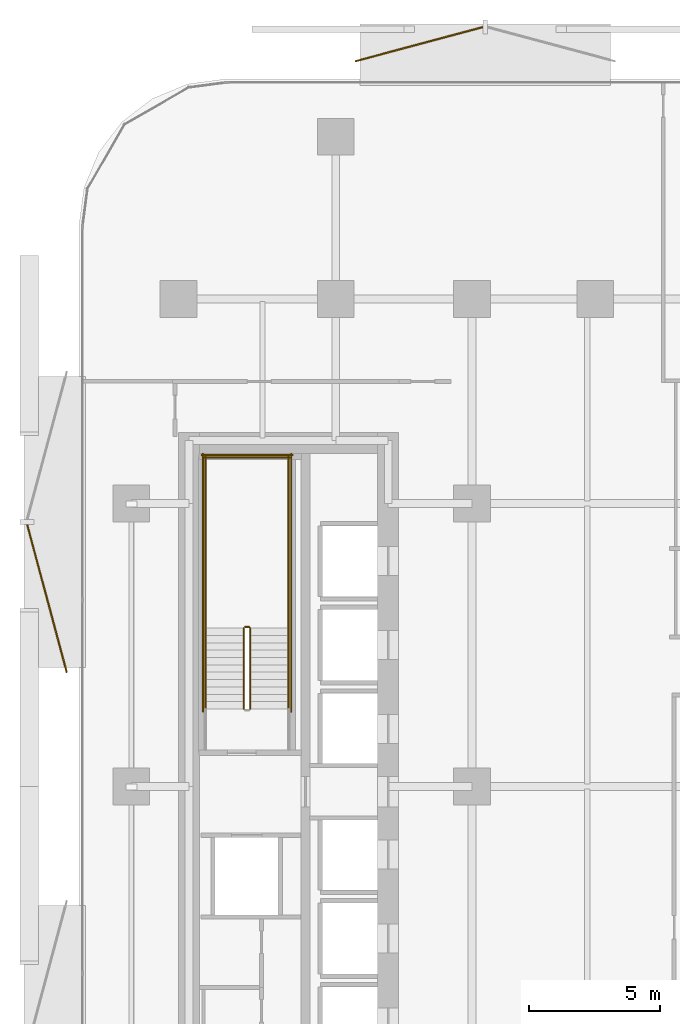
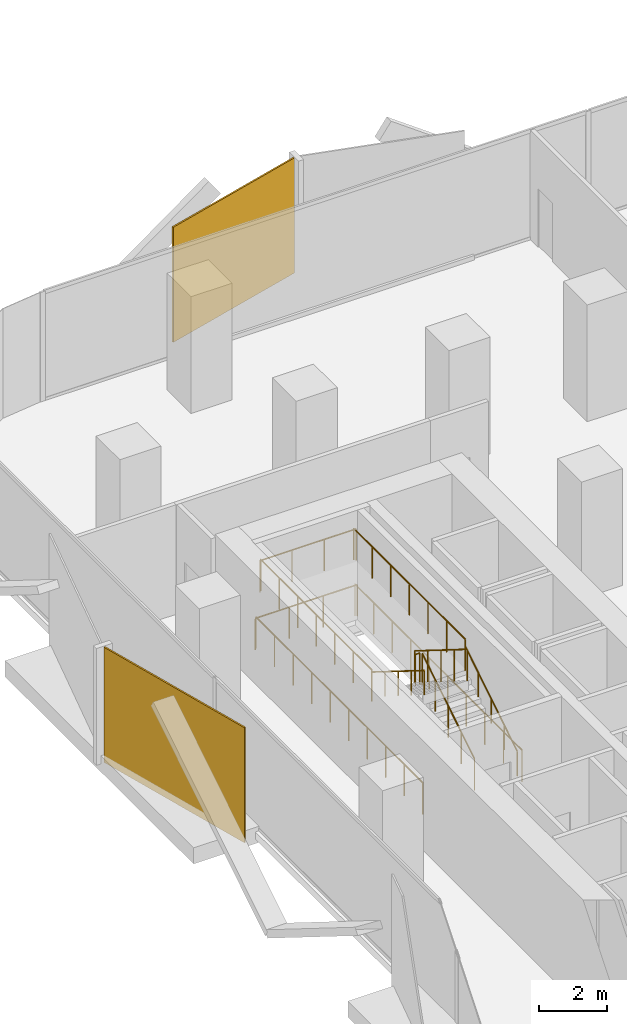
# One storey, part 13 of 14: 11 railings, 2 coverings.
"""IFC4 building model written with IfcOpenShell, lengths in metres."""

from ifc_helpers import new_model, si_unit, direction, frame, origin, origin_2d, place, context, subcontext, project, spatial, rectangle, circle, extrude, material, layer, layer_set, type_object, element, save


model = new_model("IFC4")

# Units and contexts
model_context = context("Model", 3, precision=1e-05, world=origin(), true_north=direction((0.0, 1.0)))
body_context = subcontext(model_context, "Body", "Model", "MODEL_VIEW")
ifc_project = project(units=[si_unit("LENGTHUNIT", "METRE"), si_unit("AREAUNIT", "SQUARE_METRE"), si_unit("VOLUMEUNIT", "CUBIC_METRE"), si_unit("PLANEANGLEUNIT", "RADIAN"), si_unit("MASSUNIT", "GRAM", prefix="KILO")], contexts=[model_context])

# Site, building, storey
site_placement = place(None, origin())
site = spatial("IfcSite", under=ifc_project, at=site_placement, CompositionType="ELEMENT")
building_placement = place(site_placement, origin())
building = spatial("IfcBuilding", under=site, at=building_placement, Name="Khairoan Windgate Tower", CompositionType="ELEMENT")
storey_placement = place(building_placement, frame((0.0, 0.0, 63.800048828125)))
storey = spatial("IfcBuildingStorey", under=building, at=storey_placement, Name="L15", CompositionType="ELEMENT", Elevation=63.800048828125)

# Coverings
ifc_material_1 = material(Name="Anodised Bronze Aluminium 6063-T6", Category="aluminium")
ifc_layer = layer(ifc_material_1, 0.054931640625, Name="Anodised Bronze Aluminium 6063-T6")
ifc_layer_set = layer_set([ifc_layer], Name="Anodised Bronze Aluminium 6063-T6")
covering_type = type_object("IfcCoveringType", Name="Perforated Bronze-Ceramic Folded Solar Screen Cladding BSC-1", PredefinedType="CLADDING", material=ifc_layer_set)
covering_1_placement = place(storey_placement, frame((-25.42236328125, 7.177734375, -0.10009765625), z_axis=(0.0, 0.0, 1.0), x_axis=(-0.258819045103, 0.965925826289, 0.0)))
element("IfcCovering", 1, at=covering_1_placement, inside=storey, type_object=covering_type, Name="L15 Folded Bronze Solar Screen Facet 76L", PredefinedType="CLADDING", context=body_context, shape_type="SweptSolid", body=[
    extrude(rectangle(XDim=5.85498046875, YDim=0.054931640625, at=origin_2d()), origin(), (0.0, 0.0, 1.0), 4.139892578125),
])
covering_2_placement = place(storey_placement, frame((-11.220947265625, 28.327392578125, -0.10009765625), z_axis=(0.0, 0.0, 1.0), x_axis=(0.965925826289, 0.258819045103, 0.0)))
element("IfcCovering", 2, at=covering_2_placement, inside=storey, type_object=covering_type, Name="L15 Folded Bronze Solar Screen Facet 77L", PredefinedType="CLADDING", context=body_context, shape_type="SweptSolid", body=[
    extrude(rectangle(XDim=5.04296875, YDim=0.054931640625, at=origin_2d()), origin(), (0.0, 0.0, 1.0), 4.139892578125),
])

# Railings
ifc_material_2 = material(Name="Anodised Bronze Aluminium 6063-T6", Category="aluminium")
railing_type_1 = type_object("IfcRailingType", Name="Stair Wall Handrail SHR-900", PredefinedType="HANDRAIL", material=ifc_material_2)
railing_1_placement = place(storey_placement, frame((-16.199951171875, 2.9599609375, 0.175048828125)))
element("IfcRailing", 3, at=railing_1_placement, inside=storey, type_object=railing_type_1, Name="L15 ST2 stair handrail 1", PredefinedType="HANDRAIL", context=body_context, shape_type="SweptSolid", body=[
    extrude(circle(Radius=0.02392578125, at=origin_2d()), frame((0.0, 0.0, 0.8759765625), z_axis=(0.0, 0.848028513186, 0.529950602248), x_axis=(-1.0, 0.0, 0.0)), (0.0, 0.0, 1.0), 3.632080078125),
    extrude(circle(Radius=0.02099609375, at=origin_2d()), origin(), (0.0, 0.0, 1.0), 0.851806640625),
    extrude(circle(Radius=0.02099609375, at=origin_2d()), frame((0.0, 0.77001953125, 0.481201171875)), (0.0, 0.0, 1.0), 0.851806640625),
    extrude(circle(Radius=0.02099609375, at=origin_2d()), frame((0.0, 1.5400390625, 0.96240234375)), (0.0, 0.0, 1.0), 0.851806640625),
    extrude(circle(Radius=0.02099609375, at=origin_2d()), frame((0.0, 2.31005859375, 1.443603515625)), (0.0, 0.0, 1.0), 0.851806640625),
    extrude(circle(Radius=0.02099609375, at=origin_2d()), frame((0.0, 3.080078125, 1.9248046875)), (0.0, 0.0, 1.0), 0.851806640625),
])
railing_2_placement = place(storey_placement, frame((-19.3701171875, 6.0400390625, 2.27490234375)))
element("IfcRailing", 4, at=railing_2_placement, inside=storey, type_object=railing_type_1, Name="L15 ST2 stair handrail 2", PredefinedType="HANDRAIL", context=body_context, shape_type="SweptSolid", body=[
    extrude(circle(Radius=0.02392578125, at=origin_2d()), frame((0.0, 0.0, 0.8759765625), z_axis=(0.0, -0.847998304005, 0.529998940003), x_axis=(1.0, 0.0, 0.0)), (0.0, 0.0, 1.0), 3.632080078125),
    extrude(circle(Radius=0.02099609375, at=origin_2d()), origin(), (0.0, 0.0, 1.0), 0.851806640625),
    extrude(circle(Radius=0.02099609375, at=origin_2d()), frame((0.0, -0.77001953125, 0.481201171875)), (0.0, 0.0, 1.0), 0.851806640625),
    extrude(circle(Radius=0.02099609375, at=origin_2d()), frame((0.0, -1.5400390625, 0.96240234375)), (0.0, 0.0, 1.0), 0.851806640625),
    extrude(circle(Radius=0.02099609375, at=origin_2d()), frame((0.0, -2.31005859375, 1.44384765625)), (0.0, 0.0, 1.0), 0.851806640625),
    extrude(circle(Radius=0.02099609375, at=origin_2d()), frame((0.0, -3.080078125, 1.925048828125)), (0.0, 0.0, 1.0), 0.851806640625),
])
ifc_material_3 = material(Name="Steel S355", Category="steel")
railing_type_2 = type_object("IfcRailingType", Name="Stairwell Safety Guardrail SGR-1150", PredefinedType="GUARDRAIL", material=ifc_material_3)
railing_3_placement = place(storey_placement, frame((-17.659912109375, 2.9599609375, 0.175048828125)))
element("IfcRailing", 5, at=railing_3_placement, inside=storey, type_object=railing_type_2, Name="L15 ST2 stair guard 1", PredefinedType="GUARDRAIL", context=body_context, shape_type="SweptSolid", body=[
    extrude(circle(Radius=0.02392578125, at=origin_2d()), frame((0.0, 0.0, 1.1259765625), z_axis=(0.0, 0.848028513186, 0.529950602248), x_axis=(-1.0, 0.0, 0.0)), (0.0, 0.0, 1.0), 3.632080078125),
    extrude(circle(Radius=0.02099609375, at=origin_2d()), origin(), (0.0, 0.0, 1.0), 1.101806640625),
    extrude(circle(Radius=0.02099609375, at=origin_2d()), frame((0.0, 0.77001953125, 0.481201171875)), (0.0, 0.0, 1.0), 1.101806640625),
    extrude(circle(Radius=0.02099609375, at=origin_2d()), frame((0.0, 1.5400390625, 0.96240234375)), (0.0, 0.0, 1.0), 1.101806640625),
    extrude(circle(Radius=0.02099609375, at=origin_2d()), frame((0.0, 2.31005859375, 1.443603515625)), (0.0, 0.0, 1.0), 1.101806640625),
    extrude(circle(Radius=0.02099609375, at=origin_2d()), frame((0.0, 3.080078125, 1.9248046875)), (0.0, 0.0, 1.0), 1.101806640625),
])
railing_4_placement = place(storey_placement, frame((-17.7099609375, 6.090087890625, 2.099853515625)))
element("IfcRailing", 6, at=railing_4_placement, inside=storey, type_object=railing_type_2, Name="L15 ST2 stair guard 2", PredefinedType="GUARDRAIL", context=body_context, shape_type="SweptSolid", body=[
    extrude(circle(Radius=0.02392578125, at=origin_2d()), frame((0.0, 0.0, 1.1259765625), z_axis=(-1.0, 0.0, 0.0), x_axis=(0.0, -1.0, 0.0)), (0.0, 0.0, 1.0), 0.150146484375),
    extrude(circle(Radius=0.02099609375, at=origin_2d()), origin(), (0.0, 0.0, 1.0), 1.101806640625),
    extrude(circle(Radius=0.02099609375, at=origin_2d()), frame((-0.150146484375, 0.0, 0.0)), (0.0, 0.0, 1.0), 1.101806640625),
])
for number, where, name in (
    (7, (-16.199951171875, 6.0400390625, 2.099853515625), "L15 ST2 stair guard 3"),
    (8, (-19.3701171875, 6.0400390625, 2.099853515625), "L15 ST2 stair guard 4"),
):
    element("IfcRailing", number, at=place(storey_placement, frame(where)), inside=storey, type_object=railing_type_2, Name=name, PredefinedType="GUARDRAIL", context=body_context, shape_type="SweptSolid", body=[
        extrude(circle(Radius=0.02392578125, at=origin_2d()), frame((0.0, 0.0, 1.1259765625), z_axis=(0.0, 1.0, 0.0), x_axis=(-1.0, 0.0, 0.0)), (0.0, 0.0, 1.0), 6.56005859375),
        extrude(circle(Radius=0.02099609375, at=origin_2d()), origin(), (0.0, 0.0, 1.0), 1.101806640625),
        extrude(circle(Radius=0.02099609375, at=origin_2d()), frame((0.0, 1.09326171875, 0.0)), (0.0, 0.0, 1.0), 1.101806640625),
        extrude(circle(Radius=0.02099609375, at=origin_2d()), frame((0.0, 2.186767578125, 0.0)), (0.0, 0.0, 1.0), 1.101806640625),
        extrude(circle(Radius=0.02099609375, at=origin_2d()), frame((0.0, 3.280029296875, 0.0)), (0.0, 0.0, 1.0), 1.101806640625),
        extrude(circle(Radius=0.02099609375, at=origin_2d()), frame((0.0, 4.373291015625, 0.0)), (0.0, 0.0, 1.0), 1.101806640625),
        extrude(circle(Radius=0.02099609375, at=origin_2d()), frame((0.0, 5.466796875, 0.0)), (0.0, 0.0, 1.0), 1.101806640625),
        extrude(circle(Radius=0.02099609375, at=origin_2d()), frame((0.0, 6.56005859375, 0.0)), (0.0, 0.0, 1.0), 1.101806640625),
    ])
railing_5_placement = place(storey_placement, frame((-16.14990234375, 12.550048828125, 2.099853515625)))
element("IfcRailing", 9, at=railing_5_placement, inside=storey, type_object=railing_type_2, Name="L15 ST2 stair guard 5", PredefinedType="GUARDRAIL", context=body_context, shape_type="SweptSolid", body=[
    extrude(circle(Radius=0.02392578125, at=origin_2d()), frame((0.0, 0.0, 1.1259765625), z_axis=(-1.0, 0.0, 0.0), x_axis=(0.0, -1.0, 0.0)), (0.0, 0.0, 1.0), 3.27001953125),
    extrude(circle(Radius=0.02099609375, at=origin_2d()), origin(), (0.0, 0.0, 1.0), 1.101806640625),
    extrude(circle(Radius=0.02099609375, at=origin_2d()), frame((-1.090087890625, 0.0, 0.0)), (0.0, 0.0, 1.0), 1.101806640625),
    extrude(circle(Radius=0.02099609375, at=origin_2d()), frame((-2.179931640625, 0.0, 0.0)), (0.0, 0.0, 1.0), 1.101806640625),
    extrude(circle(Radius=0.02099609375, at=origin_2d()), frame((-3.27001953125, 0.0, 0.0)), (0.0, 0.0, 1.0), 1.101806640625),
])
railing_6_placement = place(storey_placement, frame((-17.909912109375, 6.0400390625, 2.27490234375)))
element("IfcRailing", 10, at=railing_6_placement, inside=storey, type_object=railing_type_2, Name="L15 ST2 stair guard 6", PredefinedType="GUARDRAIL", context=body_context, shape_type="SweptSolid", body=[
    extrude(circle(Radius=0.02392578125, at=origin_2d()), frame((0.0, 0.0, 1.1259765625), z_axis=(0.0, -0.847998304005, 0.529998940003), x_axis=(1.0, 0.0, 0.0)), (0.0, 0.0, 1.0), 3.632080078125),
    extrude(circle(Radius=0.02099609375, at=origin_2d()), origin(), (0.0, 0.0, 1.0), 1.101806640625),
    extrude(circle(Radius=0.02099609375, at=origin_2d()), frame((0.0, -0.77001953125, 0.481201171875)), (0.0, 0.0, 1.0), 1.101806640625),
    extrude(circle(Radius=0.02099609375, at=origin_2d()), frame((0.0, -1.5400390625, 0.96240234375)), (0.0, 0.0, 1.0), 1.101806640625),
    extrude(circle(Radius=0.02099609375, at=origin_2d()), frame((0.0, -2.31005859375, 1.44384765625)), (0.0, 0.0, 1.0), 1.101806640625),
    extrude(circle(Radius=0.02099609375, at=origin_2d()), frame((0.0, -3.080078125, 1.925048828125)), (0.0, 0.0, 1.0), 1.101806640625),
])
for number, where, name in (
    (11, (-16.10009765625, 2.860107421875, 0.0), "L15 ST2 stair guard 10"),
    (12, (-19.469970703125, 2.860107421875, 0.0), "L15 ST2 stair guard 11"),
):
    element("IfcRailing", number, at=place(storey_placement, frame(where)), inside=storey, type_object=railing_type_2, Name=name, PredefinedType="GUARDRAIL", context=body_context, shape_type="SweptSolid", body=[
        extrude(circle(Radius=0.02392578125, at=origin_2d()), frame((0.0, 0.0, 1.1259765625), z_axis=(0.0, 1.0, 0.0), x_axis=(-1.0, 0.0, 0.0)), (0.0, 0.0, 1.0), 9.83984375),
        extrude(circle(Radius=0.02099609375, at=origin_2d()), origin(), (0.0, 0.0, 1.0), 1.101806640625),
        extrude(circle(Radius=0.02099609375, at=origin_2d()), frame((0.0, 1.09326171875, 0.0)), (0.0, 0.0, 1.0), 1.101806640625),
        extrude(circle(Radius=0.02099609375, at=origin_2d()), frame((0.0, 2.1865234375, 0.0)), (0.0, 0.0, 1.0), 1.101806640625),
        extrude(circle(Radius=0.02099609375, at=origin_2d()), frame((0.0, 3.280029296875, 0.0)), (0.0, 0.0, 1.0), 1.101806640625),
        extrude(circle(Radius=0.02099609375, at=origin_2d()), frame((0.0, 4.373291015625, 0.0)), (0.0, 0.0, 1.0), 1.101806640625),
        extrude(circle(Radius=0.02099609375, at=origin_2d()), frame((0.0, 5.466552734375, 0.0)), (0.0, 0.0, 1.0), 1.101806640625),
        extrude(circle(Radius=0.02099609375, at=origin_2d()), frame((0.0, 6.559814453125, 0.0)), (0.0, 0.0, 1.0), 1.101806640625),
        extrude(circle(Radius=0.02099609375, at=origin_2d()), frame((0.0, 7.6533203125, 0.0)), (0.0, 0.0, 1.0), 1.101806640625),
        extrude(circle(Radius=0.02099609375, at=origin_2d()), frame((0.0, 8.74658203125, 0.0)), (0.0, 0.0, 1.0), 1.101806640625),
        extrude(circle(Radius=0.02099609375, at=origin_2d()), frame((0.0, 9.83984375, 0.0)), (0.0, 0.0, 1.0), 1.101806640625),
    ])
railing_7_placement = place(storey_placement, frame((-16.050048828125, 12.64990234375, 0.0)))
element("IfcRailing", 13, at=railing_7_placement, inside=storey, type_object=railing_type_2, Name="L15 ST2 stair guard 12", PredefinedType="GUARDRAIL", context=body_context, shape_type="SweptSolid", body=[
    extrude(circle(Radius=0.02392578125, at=origin_2d()), frame((0.0, 0.0, 1.1259765625), z_axis=(-1.0, 0.0, 0.0), x_axis=(0.0, -1.0, 0.0)), (0.0, 0.0, 1.0), 3.469970703125),
    extrude(circle(Radius=0.02099609375, at=origin_2d()), origin(), (0.0, 0.0, 1.0), 1.101806640625),
    extrude(circle(Radius=0.02099609375, at=origin_2d()), frame((-1.15673828125, 0.0, 0.0)), (0.0, 0.0, 1.0), 1.101806640625),
    extrude(circle(Radius=0.02099609375, at=origin_2d()), frame((-2.313232421875, 0.0, 0.0)), (0.0, 0.0, 1.0), 1.101806640625),
    extrude(circle(Radius=0.02099609375, at=origin_2d()), frame((-3.469970703125, 0.0, 0.0)), (0.0, 0.0, 1.0), 1.101806640625),
])

save(model, "model.ifc")
